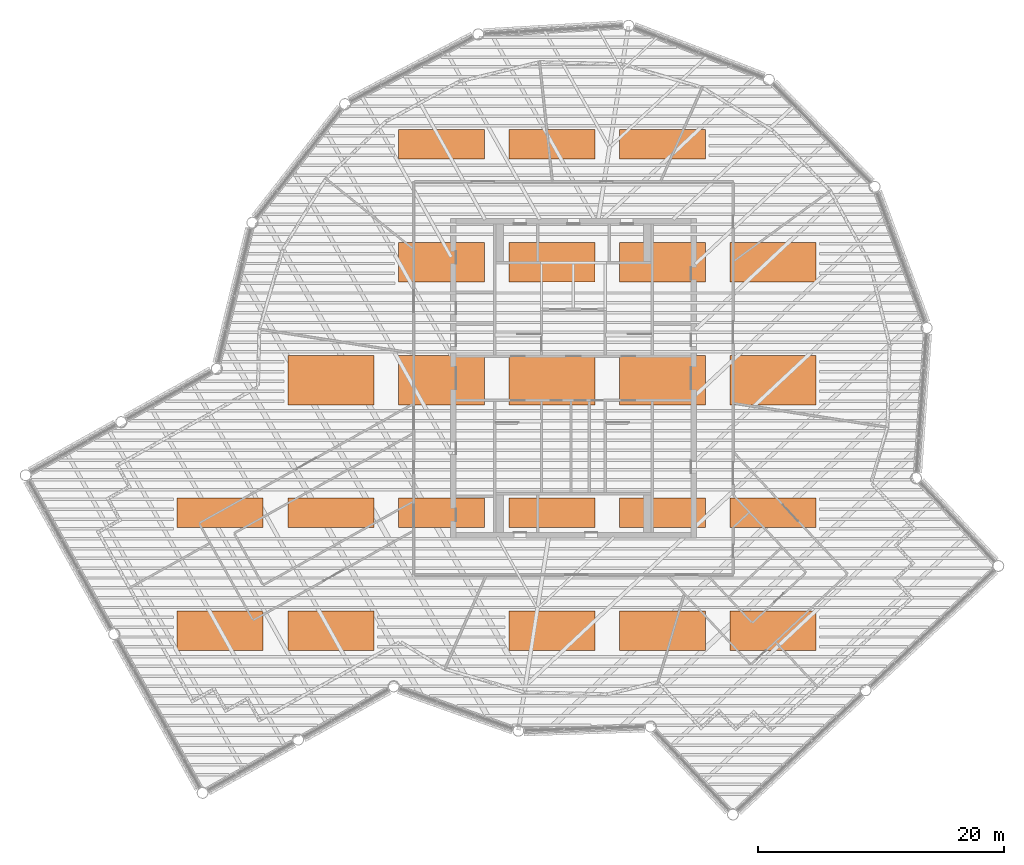
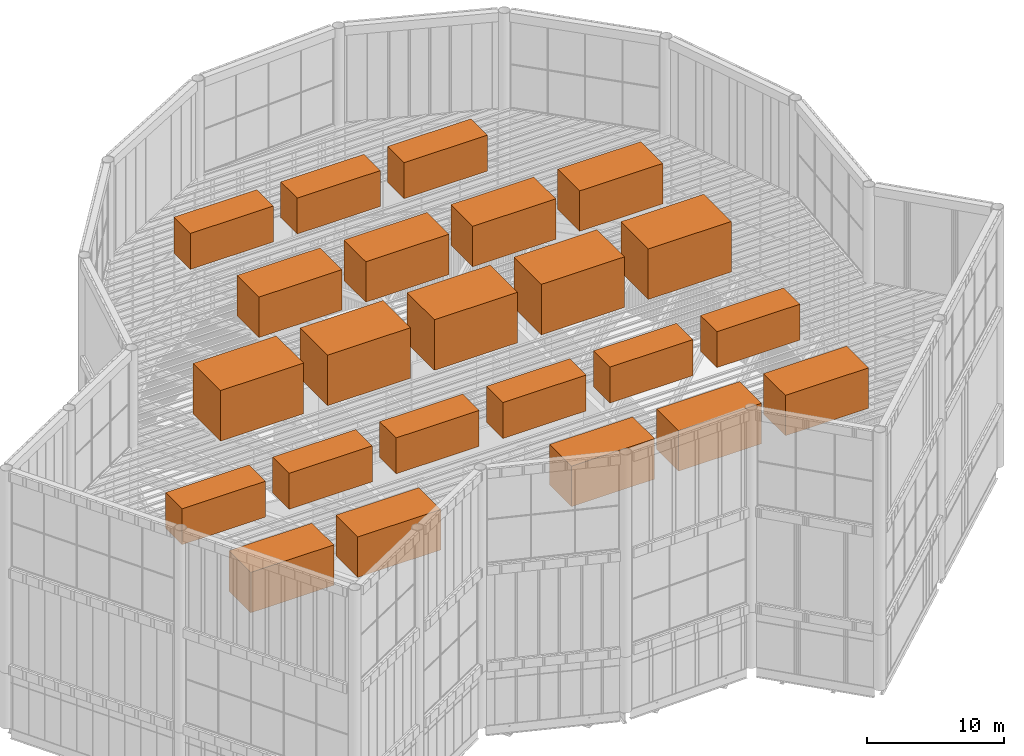
# One storey, part 117 of 117: 23 proxies.
"""IFC4 building model written with IfcOpenShell, lengths in metres."""

from ifc_helpers import new_model, si_unit, direction, frame, origin, origin_2d, place, context, subcontext, project, spatial, rectangle, extrude, material, type_object, element, save


model = new_model("IFC4")

# Units and contexts
model_context = context("Model", 3, precision=1e-05, world=origin(), true_north=direction((0.0, 1.0)))
body_context = subcontext(model_context, "Body", "Model", "MODEL_VIEW")
ifc_project = project(units=[si_unit("LENGTHUNIT", "METRE"), si_unit("AREAUNIT", "SQUARE_METRE"), si_unit("VOLUMEUNIT", "CUBIC_METRE"), si_unit("PLANEANGLEUNIT", "RADIAN"), si_unit("MASSUNIT", "GRAM", prefix="KILO")], contexts=[model_context])

# Site, building, storey
site_placement = place(None, origin())
site = spatial("IfcSite", under=ifc_project, at=site_placement, CompositionType="ELEMENT")
building_placement = place(site_placement, origin())
building = spatial("IfcBuilding", under=site, at=building_placement, Name="Tarsis Ring Headquarters", CompositionType="ELEMENT")
storey_placement = place(building_placement, frame((0.0, 0.0, 403.60009765625)))
storey = spatial("IfcBuildingStorey", under=building, at=storey_placement, Name="L95", CompositionType="ELEMENT", Elevation=403.60009765625)

# Proxies
ifc_material_1 = material(Name="Air handling unit steel casing", Category="steel")
building_element_proxy_type_1 = type_object("IfcBuildingElementProxyType", Name="Crown roof air handling unit", PredefinedType="USERDEFINED", material=ifc_material_1)
for number, where, z_axis, x_axis, name in (
    (1, (-28.75244140625, -10.964111328125, 14.39990234375), (0.0, 0.0, 1.0), (1.0, 0.0, 0.0), "Crown roof air handling unit AHU1"),
    (2, (-19.75244140625, -10.964111328125, 14.39990234375), (0.0, 0.0, 1.0), (1.0, 0.0, 0.0), "Crown roof air handling unit AHU2"),
    (3, (-10.75244140625, -10.964111328125, 14.39990234375), (0.0, 0.0, 1.0), (1.0, 0.0, 0.0), "Crown roof air handling unit AHU3"),
    (4, (-1.75244140625, -10.964111328125, 14.39990234375), (0.0, 0.0, 1.0), (1.0, 0.0, 0.0), "Crown roof air handling unit AHU4"),
    (5, (7.24755859375, -10.964111328125, 14.39990234375), (0.0, 0.0, 1.0), (1.0, 0.0, 0.0), "Crown roof air handling unit AHU5"),
    (6, (16.24755859375, -10.964111328125, 14.39990234375), (0.0, 0.0, 1.0), (1.0, 0.0, 0.0), "Crown roof air handling unit AHU6"),
    (7, (-10.75244140625, 19.035888671875, 14.39990234375), (0.0, 0.0, 1.0), (1.0, 0.0, 0.0), "Crown roof air handling unit AHU7"),
    (8, (-1.75244140625, 19.035888671875, 14.39990234375), (0.0, 0.0, 1.0), (1.0, 0.0, 0.0), "Crown roof air handling unit AHU8"),
    (9, (7.24755859375, 19.035888671875, 14.39990234375), (0.0, 0.0, 1.0), (1.0, 0.0, 0.0), "Crown roof air handling unit AHU9"),
):
    element("IfcBuildingElementProxy", number, at=place(storey_placement, frame(where, z_axis=z_axis, x_axis=x_axis)), inside=storey, type_object=building_element_proxy_type_1, Name=name, ObjectType="Roof plant", PredefinedType="USERDEFINED", context=body_context, shape_type="SweptSolid", body=[
        extrude(rectangle(XDim=7.0, YDim=2.39990234375, at=origin_2d()), origin(), (0.0, 0.0, 1.0), 3.199951171875),
    ])
ifc_material_2 = material(Name="Chiller steel casing", Category="steel")
building_element_proxy_type_2 = type_object("IfcBuildingElementProxyType", Name="Crown roof chiller", PredefinedType="USERDEFINED", material=ifc_material_2)
for number, where, z_axis, x_axis, name in (
    (10, (-28.75244140625, -20.564208984375, 14.39990234375), (0.0, 0.0, 1.0), (1.0, 0.0, 0.0), "Crown roof chiller CH1"),
    (11, (-19.75244140625, -20.564208984375, 14.39990234375), (0.0, 0.0, 1.0), (1.0, 0.0, 0.0), "Crown roof chiller CH2"),
    (12, (-1.75244140625, -20.564208984375, 14.39990234375), (0.0, 0.0, 1.0), (1.0, 0.0, 0.0), "Crown roof chiller CH3"),
    (13, (7.24755859375, -20.564208984375, 14.39990234375), (0.0, 0.0, 1.0), (1.0, 0.0, 0.0), "Crown roof chiller CH4"),
    (14, (16.24755859375, -20.564208984375, 14.39990234375), (0.0, 0.0, 1.0), (1.0, 0.0, 0.0), "Crown roof chiller CH5"),
    (15, (-10.75244140625, 9.435791015625, 14.39990234375), (0.0, 0.0, 1.0), (1.0, 0.0, 0.0), "Crown roof chiller CH6"),
    (16, (-1.75244140625, 9.435791015625, 14.39990234375), (0.0, 0.0, 1.0), (1.0, 0.0, 0.0), "Crown roof chiller CH7"),
    (17, (7.24755859375, 9.435791015625, 14.39990234375), (0.0, 0.0, 1.0), (1.0, 0.0, 0.0), "Crown roof chiller CH8"),
    (18, (16.24755859375, 9.435791015625, 14.39990234375), (0.0, 0.0, 1.0), (1.0, 0.0, 0.0), "Crown roof chiller CH9"),
):
    element("IfcBuildingElementProxy", number, at=place(storey_placement, frame(where, z_axis=z_axis, x_axis=x_axis)), inside=storey, type_object=building_element_proxy_type_2, Name=name, ObjectType="Roof plant", PredefinedType="USERDEFINED", context=body_context, shape_type="SweptSolid", body=[
        extrude(rectangle(XDim=7.0, YDim=3.199951171875, at=origin_2d()), origin(), (0.0, 0.0, 1.0), 3.60009765625),
    ])
ifc_material_3 = material(Name="Cooling tower steel casing", Category="steel")
building_element_proxy_type_3 = type_object("IfcBuildingElementProxyType", Name="Crown roof cooling tower", PredefinedType="USERDEFINED", material=ifc_material_3)
for number, where, z_axis, x_axis, name in (
    (19, (-19.75244140625, -0.164306640625, 14.39990234375), (0.0, 0.0, 1.0), (1.0, 0.0, 0.0), "Crown roof cooling tower CT1"),
    (20, (-10.75244140625, -0.164306640625, 14.39990234375), (0.0, 0.0, 1.0), (1.0, 0.0, 0.0), "Crown roof cooling tower CT2"),
    (21, (-1.75244140625, -0.164306640625, 14.39990234375), (0.0, 0.0, 1.0), (1.0, 0.0, 0.0), "Crown roof cooling tower CT3"),
    (22, (7.24755859375, -0.164306640625, 14.39990234375), (0.0, 0.0, 1.0), (1.0, 0.0, 0.0), "Crown roof cooling tower CT4"),
    (23, (16.24755859375, -0.164306640625, 14.39990234375), (0.0, 0.0, 1.0), (1.0, 0.0, 0.0), "Crown roof cooling tower CT5"),
):
    element("IfcBuildingElementProxy", number, at=place(storey_placement, frame(where, z_axis=z_axis, x_axis=x_axis)), inside=storey, type_object=building_element_proxy_type_3, Name=name, ObjectType="Roof plant", PredefinedType="USERDEFINED", context=body_context, shape_type="SweptSolid", body=[
        extrude(rectangle(XDim=7.0, YDim=4.0, at=origin_2d()), origin(), (0.0, 0.0, 1.0), 4.5),
    ])

save(model, "model.ifc")
